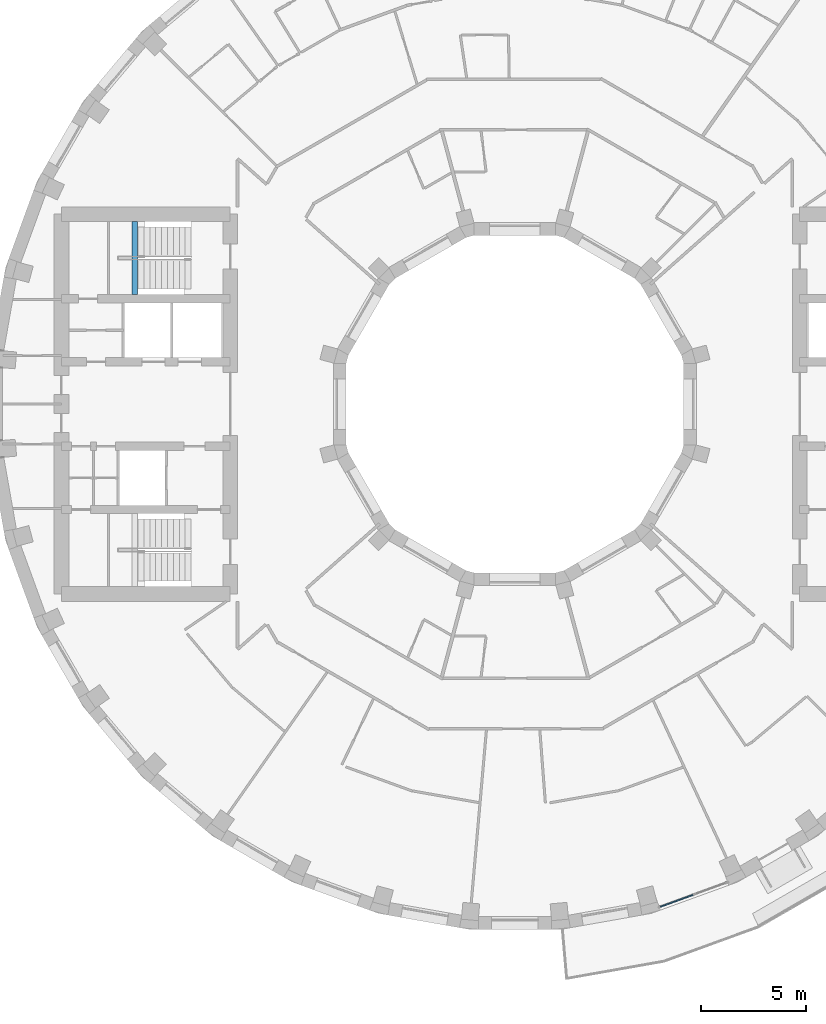
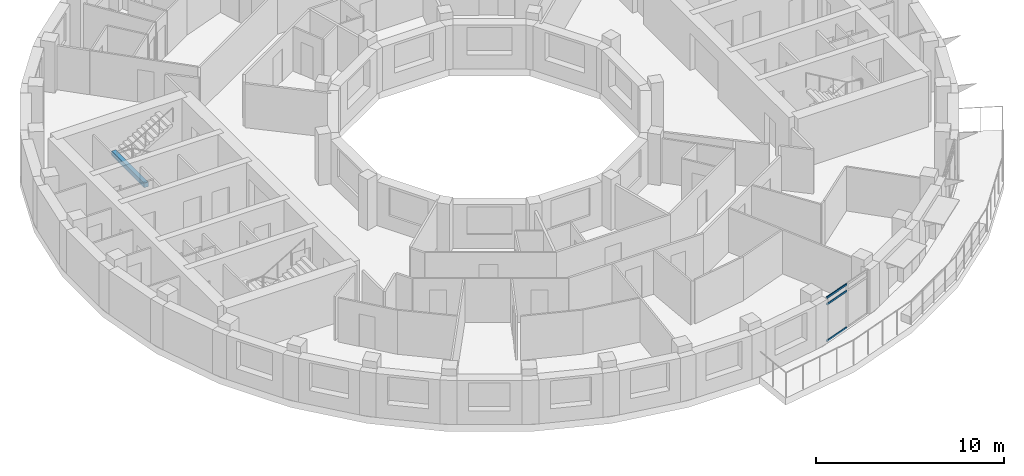
# One storey, part 3 of 15: 3 members, 1 beam, 1 element without a shape of its own.
"""IFC4 building model written with IfcOpenShell, lengths in metres."""

from ifc_helpers import new_model, si_unit, direction, frame, origin, origin_2d, place, context, subcontext, project, spatial, rectangle, extrude, material, layer, layer_set, material_profile, profile_set, type_object, element, aggregate, save


model = new_model("IFC4")

# Units and contexts
model_context = context("Model", 3, precision=1e-05, world=origin(), true_north=direction((0.0, 1.0)))
body_context = subcontext(model_context, "Body", "Model", "MODEL_VIEW")
ifc_project = project(units=[si_unit("LENGTHUNIT", "METRE"), si_unit("AREAUNIT", "SQUARE_METRE"), si_unit("VOLUMEUNIT", "CUBIC_METRE"), si_unit("PLANEANGLEUNIT", "RADIAN"), si_unit("MASSUNIT", "GRAM", prefix="KILO")], contexts=[model_context])

# Site, building, storey
site_placement = place(None, origin())
site = spatial("IfcSite", under=ifc_project, at=site_placement, CompositionType="ELEMENT")
building_placement = place(site_placement, origin())
building = spatial("IfcBuilding", under=site, at=building_placement, Name="Saqina Gate Tower", CompositionType="ELEMENT")
storey_placement = place(building_placement, frame((0.0, 0.0, 167.39990234375)))
storey = spatial("IfcBuildingStorey", under=building, at=storey_placement, Name="L47", CompositionType="ELEMENT", Elevation=167.39990234375)

# Curtain wall, members
ifc_material_1 = material(Name="Aluminium glazing", Category="aluminium")
ifc_layer = layer(ifc_material_1, 0.159912109375)
ifc_layer_set = layer_set([ifc_layer], Name="CWT-4")
curtain_wall_type = type_object("IfcCurtainWallType", Name="CWT-4", PredefinedType="NOTDEFINED", material=ifc_layer_set)
curtain_wall_placement = place(storey_placement, origin())
curtain_wall = element("IfcCurtainWall", 1, at=curtain_wall_placement, inside=storey, type_object=curtain_wall_type, Name="Terrace lounge glazing facet 29", PredefinedType="NOTDEFINED")
ifc_material_2 = material(Name="Aluminium", Category="aluminium")
ifc_material_profile_1 = material_profile(ifc_material_2, rectangle(XDim=0.06005859375, YDim=0.1201171875, at=origin_2d()), Name="Aluminium 60x120")
ifc_profile_set_1 = profile_set([ifc_material_profile_1], Name="Aluminium")
member_type = type_object("IfcMemberType", Name="CWT-4T", PredefinedType="USERDEFINED", material=ifc_profile_set_1)
member_1_placement = place(storey_placement, frame((6.902099609375, -23.831298828125, 0.030029296875), z_axis=(0.939714920276, 0.341958869765, 0.0), x_axis=(-0.341958869765, 0.939714920276, 0.0)))
member_1 = element("IfcMember", 2, at=member_1_placement, type_object=member_type, Name="CW4-29 transom 1.1", ObjectType="TRANSOM", PredefinedType="USERDEFINED", context=body_context, shape_type="SweptSolid", body=[
    extrude(rectangle(XDim=0.06005859375, YDim=0.1201171875, at=origin_2d()), origin(), (0.0, 0.0, 1.0), 1.635009765625),
])
member_2_placement = place(storey_placement, frame((6.902099609375, -23.831298828125, 2.400146484375), z_axis=(0.939714920276, 0.341958869765, 0.0), x_axis=(-0.341958869765, 0.939714920276, 0.0)))
member_2 = element("IfcMember", 3, at=member_2_placement, type_object=member_type, Name="CW4-29 transom 1.2", ObjectType="TRANSOM", PredefinedType="USERDEFINED", context=body_context, shape_type="SweptSolid", body=[
    extrude(rectangle(XDim=0.06005859375, YDim=0.1201171875, at=origin_2d()), origin(), (0.0, 0.0, 1.0), 1.635009765625),
])
member_3_placement = place(storey_placement, frame((6.902099609375, -23.831298828125, 2.820068359375), z_axis=(0.939714920276, 0.341958869765, 0.0), x_axis=(-0.341958869765, 0.939714920276, 0.0)))
member_3 = element("IfcMember", 4, at=member_3_placement, type_object=member_type, Name="CW4-29 transom 1.3", ObjectType="TRANSOM", PredefinedType="USERDEFINED", context=body_context, shape_type="SweptSolid", body=[
    extrude(rectangle(XDim=0.06005859375, YDim=0.1201171875, at=origin_2d()), origin(), (0.0, 0.0, 1.0), 1.635009765625),
])
aggregate(curtain_wall, [member_1, member_2, member_3])

# Beam
ifc_material_3 = material(Name="Concrete C40/50", Category="concrete")
ifc_material_profile_2 = material_profile(ifc_material_3, rectangle(XDim=0.25, YDim=0.300048828125, at=origin_2d()), Name="STAIR LANDING BEAM")
ifc_profile_set_2 = profile_set([ifc_material_profile_2], Name="Concrete C40/50")
beam_type = type_object("IfcBeamType", Name="STAIR LANDING BEAM", PredefinedType="BEAM", material=ifc_profile_set_2)
beam_placement = place(storey_placement, frame((-18.02001953125, 5.199951171875, 1.25), z_axis=(0.0, 1.0, 0.0), x_axis=(-1.0, 0.0, 0.0)))
element("IfcBeam", 5, at=beam_placement, inside=storey, type_object=beam_type, Name="EXIT STAIR 3 LANDING BEAM", PredefinedType="BEAM", context=body_context, shape_type="SweptSolid", body=[
    extrude(rectangle(XDim=0.25, YDim=0.300048828125, at=origin_2d()), origin(), (0.0, 0.0, 1.0), 3.449951171875),
])

save(model, "model.ifc")
